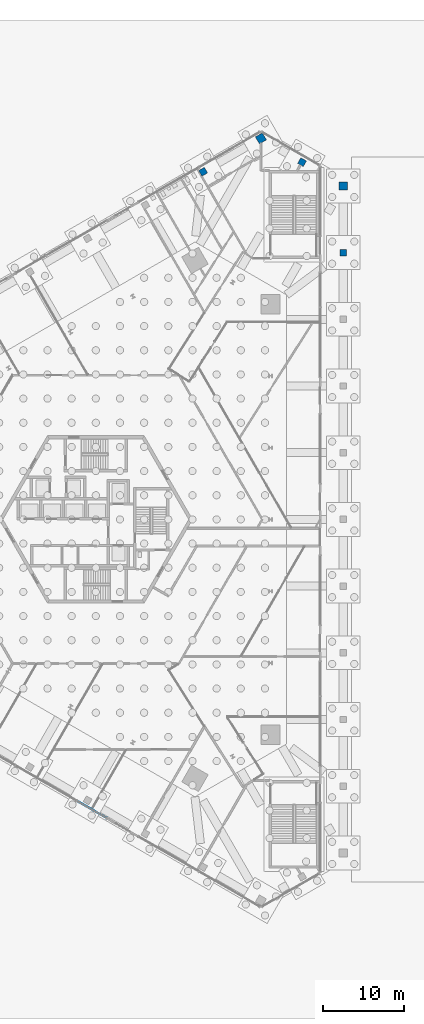
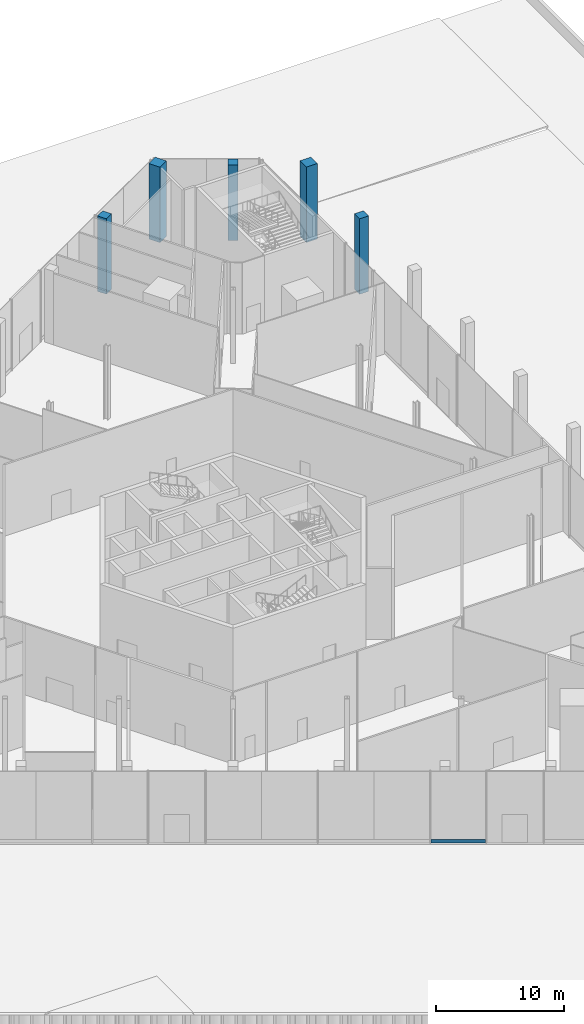
# One storey, part 7 of 27: 5 columns, 1 member, 1 element without a shape of its own.
"""IFC4 building model written with IfcOpenShell, lengths in metres."""

import ifcopenshell
import ifcopenshell.guid

model = None  # the IFC model being written
_history = None  # IfcOwnerHistory: only IFC2X3 demands one
_inside = {}  # id of a spatial element -> (the spatial element, [elements in it])
_under = {}  # id of a project, library or spatial element -> (it, [spatial elements below it])
_declared = {}  # id of a project -> (the project, [libraries it declares])
_typed = {}  # id of a type object -> (the type object, [elements of that type])
_made_of = {}  # id of a material, layer set ... -> (it, [elements and type objects made of it])


def new_model(schema):
    """Start an empty IFC model of exactly this schema.

    Asked for "IFC4X3", IfcOpenShell would pick the latest addendum, in which some entities
    have other attributes; the version numbers below select the first issue.
    IFC2X3 requires an IfcOwnerHistory on every rooted entity: one is made here for all.
    """
    global model, _history
    if schema == "IFC4X3":
        model = ifcopenshell.file(schema_version=(4, 3, 0, 0))
    else:
        model = ifcopenshell.file(schema=schema)
    _inside.clear()
    _under.clear()
    _declared.clear()
    _typed.clear()
    _made_of.clear()
    _history = None
    if model.schema == "IFC2X3":
        org = make("IfcOrganization", Name="unknown")
        user = make(
            "IfcPersonAndOrganization",
            ThePerson=make("IfcPerson", FamilyName="unknown"),
            TheOrganization=org,
        )
        app = make(
            "IfcApplication",
            ApplicationDeveloper=org,
            Version="unknown",
            ApplicationFullName="unknown",
            ApplicationIdentifier="unknown",
        )
        _history = make(
            "IfcOwnerHistory",
            OwningUser=user,
            OwningApplication=app,
            ChangeAction="ADDED",
            CreationDate=0,
        )
    return model


def make(cls, **values):
    """One entity of the class cls with the attributes given. An attribute that is None is left unset."""
    return model.create_entity(
        cls, **{name: value for name, value in values.items() if value is not None}
    )


def rooted(cls, **values):
    """An entity with a GlobalId (a new one), such as an element, a storey or a relation."""
    return make(cls, GlobalId=ifcopenshell.guid.new(), OwnerHistory=_history, **values)


def si_unit(unit_type, name, prefix=None):
    """IfcSIUnit, for example si_unit("LENGTHUNIT", "METRE", prefix="MILLI")."""
    return make("IfcSIUnit", UnitType=unit_type, Prefix=prefix, Name=name)


def assignment(units):
    """IfcUnitAssignment: the units of a project."""
    return None if units is None else make("IfcUnitAssignment", Units=units)


def point(xyz):
    """IfcCartesianPoint."""
    return None if xyz is None else make("IfcCartesianPoint", Coordinates=xyz)


def direction(xyz):
    """IfcDirection."""
    return None if xyz is None else make("IfcDirection", DirectionRatios=xyz)


def frame(location, z_axis=None, x_axis=None):
    """IfcAxis2Placement3D, a coordinate frame: its origin and axes. An axis left out is left unset."""
    return make(
        "IfcAxis2Placement3D",
        Location=point(location),
        Axis=direction(z_axis),
        RefDirection=direction(x_axis),
    )


def frame_2d(location, x_axis=None):
    """IfcAxis2Placement2D, a coordinate frame in the plane: its origin and x axis."""
    return make(
        "IfcAxis2Placement2D", Location=point(location), RefDirection=direction(x_axis)
    )


def origin():
    """The frame at (0, 0, 0) with its axes left unset."""
    return frame((0.0, 0.0, 0.0))


def origin_2d():
    """The frame at (0, 0) in the plane with its x axis left unset."""
    return frame_2d((0.0, 0.0))


def place(relative_to, where):
    """IfcLocalPlacement: puts the frame where relative to a parent placement (None: the world)."""
    return make(
        "IfcLocalPlacement", PlacementRelTo=relative_to, RelativePlacement=where
    )


def context(
    kind, dimensions, precision=None, world=None, true_north=None, identifier=None
):
    """IfcGeometricRepresentationContext, for example the 3D "Model" context."""
    return make(
        "IfcGeometricRepresentationContext",
        ContextIdentifier=identifier,
        ContextType=kind,
        CoordinateSpaceDimension=dimensions,
        Precision=precision,
        WorldCoordinateSystem=world,
        TrueNorth=true_north,
    )


def subcontext(parent, identifier, kind, view, scale=None):
    """IfcGeometricRepresentationSubContext, for example "Body" below "Model"."""
    return make(
        "IfcGeometricRepresentationSubContext",
        ContextIdentifier=identifier,
        ContextType=kind,
        ParentContext=parent,
        TargetScale=scale,
        TargetView=view,
    )


def project(units=None, contexts=None):
    """IfcProject with its units and contexts."""
    return rooted(
        "IfcProject",
        Name="project",
        RepresentationContexts=contexts,
        UnitsInContext=assignment(units),
    )


def spatial(cls, under=None, at=None, **own):
    """A site, building, storey or space (cls), placed at a placement, below another one or the project."""
    s = rooted(cls, ObjectPlacement=at, **own)
    if under is not None:
        _under.setdefault(under.id(), (under, []))[1].append(s)
    return s


def profile(cls, at=None, kind="AREA", **sizes):
    """A parametric profile (cls). Its sizes go by their IFC names, for example OverallWidth=200.0."""
    return make(cls, ProfileType=kind, Position=at, **sizes)


def rectangle(**sizes):
    """IfcRectangleProfileDef."""
    return profile("IfcRectangleProfileDef", **sizes)


def extrude(swept, where, along, depth):
    """IfcExtrudedAreaSolid: the profile swept, set in the frame where, extruded along a direction by depth."""
    return make(
        "IfcExtrudedAreaSolid",
        SweptArea=swept,
        Position=where,
        ExtrudedDirection=direction(along),
        Depth=depth,
    )


def shape(context_of_items, identifier, shape_type, items):
    """IfcShapeRepresentation: the items that make up one representation, for example the "Body"."""
    return make(
        "IfcShapeRepresentation",
        ContextOfItems=context_of_items,
        RepresentationIdentifier=identifier,
        RepresentationType=shape_type,
        Items=items,
    )


def source(mapping_origin, context_of_items, identifier, shape_type, items):
    """IfcRepresentationMap: a shape defined once, which mapped items show again and again."""
    return make(
        "IfcRepresentationMap",
        MappingOrigin=mapping_origin,
        MappedRepresentation=shape(context_of_items, identifier, shape_type, items),
    )


def transform(
    local_origin,
    x_axis=None,
    y_axis=None,
    z_axis=None,
    scale=None,
    scale2=None,
    scale3=None,
    uniform=True,
):
    """IfcCartesianTransformationOperator3D, or its non-uniform kind. x_axis, y_axis, z_axis: its Axis1, 2, 3."""
    if uniform:
        return make(
            "IfcCartesianTransformationOperator3D",
            Axis1=direction(x_axis),
            Axis2=direction(y_axis),
            LocalOrigin=point(local_origin),
            Scale=scale,
            Axis3=direction(z_axis),
        )
    return make(
        "IfcCartesianTransformationOperator3DnonUniform",
        Axis1=direction(x_axis),
        Axis2=direction(y_axis),
        LocalOrigin=point(local_origin),
        Scale=scale,
        Axis3=direction(z_axis),
        Scale2=scale2,
        Scale3=scale3,
    )


def mapped(mapping_source, mapping_target):
    """IfcMappedItem: shows the shape of a source again, moved by a transform."""
    return make(
        "IfcMappedItem", MappingSource=mapping_source, MappingTarget=mapping_target
    )


def material(Name=None, Category=None):
    """IfcMaterial."""
    return make("IfcMaterial", Name=Name, Category=Category)


def material_profile(
    of_material, cross_section, Name=None, Category=None, Priority=None
):
    """IfcMaterialProfile: a cross section and its material."""
    return make(
        "IfcMaterialProfile",
        Name=Name,
        Material=of_material,
        Profile=cross_section,
        Priority=Priority,
        Category=Category,
    )


def profile_set(profiles, Name=None, composite=None):
    """IfcMaterialProfileSet."""
    return make(
        "IfcMaterialProfileSet",
        Name=Name,
        MaterialProfiles=profiles,
        CompositeProfile=composite,
    )


def made_of(thing, what):
    """Note that an element or type object is made of a material, layer set ...; save() writes the relation."""
    if what is not None:
        _made_of.setdefault(what.id(), (what, []))[1].append(thing)
    return thing


def type_object(cls, material=None, **own):
    """A type object (cls), such as IfcWallType, which elements share."""
    return made_of(rooted(cls, **own), material)


def element(
    cls,
    number,
    at=None,
    inside=None,
    cuts=None,
    type_object=None,
    material=None,
    context=None,
    identifier="Body",
    shape_type=None,
    held_by="IfcProductDefinitionShape",
    body=None,
    shapes=None,
    **own,
):
    """One element of the class cls, such as IfcWall. Its Tag is "e" and its number.

    at: its placement. inside: the storey or other place that contains it. cuts: it is an
    opening in that element (IfcRelVoidsElement). A single representation is given by context,
    identifier, shape_type and body (its items); several are given by shapes. held_by: the class
    of the entity that holds the representations. save() writes the other relations.
    """
    e = rooted(cls, Tag="e%d" % number, ObjectPlacement=at, **own)
    if body is not None:
        shapes = [shape(context, identifier, shape_type, body)]
    if shapes is not None:
        e.Representation = make(held_by, Representations=shapes)
    if inside is not None:
        _inside.setdefault(inside.id(), (inside, []))[1].append(e)
    if cuts is not None:
        rooted(
            "IfcRelVoidsElement", RelatingBuildingElement=cuts, RelatedOpeningElement=e
        )
    if type_object is not None:
        _typed.setdefault(type_object.id(), (type_object, []))[1].append(e)
    return made_of(e, material)


def aggregate(whole, parts):
    """IfcRelAggregates: a whole, such as a stair, and the parts it consists of."""
    return rooted("IfcRelAggregates", RelatingObject=whole, RelatedObjects=parts)


def save(model, path):
    """Write the relations noted so far, then the file.

    IfcRelAggregates (storeys below a building ...), IfcRelContainedInSpatialStructure (elements
    in a storey), IfcRelDefinesByType, IfcRelAssociatesMaterial and IfcRelDeclares: one each for
    every whole, place, type object, material and project.
    """
    for whole, parts in _under.values():
        aggregate(whole, parts)
    for where, things in _inside.values():
        rooted(
            "IfcRelContainedInSpatialStructure",
            RelatedElements=things,
            RelatingStructure=where,
        )
    for kind, things in _typed.values():
        rooted("IfcRelDefinesByType", RelatedObjects=things, RelatingType=kind)
    for what, things in _made_of.values():
        rooted("IfcRelAssociatesMaterial", RelatedObjects=things, RelatingMaterial=what)
    for by, libraries in _declared.values():
        rooted("IfcRelDeclares", RelatingContext=by, RelatedDefinitions=libraries)
    model.write(path)


model = new_model("IFC4")

# Units and contexts
model_context = context("Model", 3, precision=1e-05, world=origin(), true_north=direction((0.0, 1.0)))
body_context = subcontext(model_context, "Body", "Model", "MODEL_VIEW")
ifc_project = project(units=[si_unit("LENGTHUNIT", "METRE"), si_unit("AREAUNIT", "SQUARE_METRE"), si_unit("VOLUMEUNIT", "CUBIC_METRE"), si_unit("PLANEANGLEUNIT", "RADIAN"), si_unit("MASSUNIT", "GRAM", prefix="KILO")], contexts=[model_context])

# Site, building, storey
site_placement = place(None, origin())
site = spatial("IfcSite", under=ifc_project, at=site_placement, CompositionType="ELEMENT")
building_placement = place(site_placement, origin())
building = spatial("IfcBuilding", under=site, at=building_placement, Name="Triune Harvest Tower", CompositionType="ELEMENT")
storey_placement = place(building_placement, origin())
storey = spatial("IfcBuildingStorey", under=building, at=storey_placement, Name="L00", CompositionType="ELEMENT", Elevation=0.0)

# Columns
ifc_material_1 = material(Name="Concrete 50 MPa", Category="concrete")
ifc_material_profile_1 = material_profile(ifc_material_1, rectangle(XDim=1.0, YDim=1.0, at=origin_2d()), Name="Concrete 1000x1000")
ifc_profile_set_1 = profile_set([ifc_material_profile_1], Name="Concrete 50 MPa")
column_type_1 = type_object("IfcColumnType", Name="PD-1 Podium column Concrete 1000x1000", PredefinedType="COLUMN", material=ifc_profile_set_1)
shared_shape_1 = source(origin(), body_context, "Body", "SweptSolid", [
    extrude(rectangle(XDim=1.0, YDim=1.0, at=origin_2d()), origin(), (0.0, 0.0, 1.0), 7.199951171875),
])
for number, where, z_axis, x_axis, name in (
    (1, (30.715087890625, 41.39990234375, -0.199951171875), (0.0, 0.0, 1.0), (0.0, 1.0, 0.0), "col/L00/D10"),
    (2, (20.495849609375, 47.300048828125, -0.199951171875), (0.0, 0.0, 1.0), (-0.866025403784, -0.5, 0.0), "col/L00/D12"),
):
    element("IfcColumn", number, at=place(storey_placement, frame(where, z_axis=z_axis, x_axis=x_axis)), inside=storey, type_object=column_type_1, Name=name, PredefinedType="COLUMN", context=body_context, shape_type="MappedRepresentation", body=[
        mapped(shared_shape_1, transform((0.0, 0.0, 0.0), scale=1.0)),
    ])
ifc_material_2 = material(Name="Concrete 50 MPa", Category="concrete")
ifc_material_profile_2 = material_profile(ifc_material_2, rectangle(XDim=0.800048828125, YDim=0.800048828125, at=origin_2d()), Name="Concrete 800x800")
ifc_profile_set_2 = profile_set([ifc_material_profile_2], Name="Concrete 50 MPa")
column_type_2 = type_object("IfcColumnType", Name="PD-2 Podium column Concrete 800x800", PredefinedType="COLUMN", material=ifc_profile_set_2)
shared_shape_2 = source(origin(), body_context, "Body", "SweptSolid", [
    extrude(rectangle(XDim=0.800048828125, YDim=0.800048828125, at=origin_2d()), origin(), (0.0, 0.0, 1.0), 7.199951171875),
])
for number, where, z_axis, x_axis, name in (
    (3, (30.715087890625, 33.1201171875, -0.199951171875), (0.0, 0.0, 1.0), (0.0, 1.0, 0.0), "col/L00/D9"),
    (4, (25.60546875, 44.35009765625, -0.199951171875), (0.0, 0.0, 1.0), (-0.866027149108, 0.499996976998, 0.0), "col/L00/D11"),
    (5, (13.3251953125, 43.159912109375, -0.199951171875), (0.0, 0.0, 1.0), (-0.866025403784, -0.5, 0.0), "col/L00/D13"),
):
    element("IfcColumn", number, at=place(storey_placement, frame(where, z_axis=z_axis, x_axis=x_axis)), inside=storey, type_object=column_type_2, Name=name, PredefinedType="COLUMN", context=body_context, shape_type="MappedRepresentation", body=[
        mapped(shared_shape_2, transform((0.0, 0.0, 0.0), scale=1.0)),
    ])

# Curtain wall, member
ifc_material_3 = material(Name="Aluminium bronze anodised", Category="aluminium")
curtain_wall_type = type_object("IfcCurtainWallType", Name="CW-2 Podium shopfront wall", PredefinedType="NOTDEFINED", material=ifc_material_3)
curtain_wall_placement = place(storey_placement, origin())
curtain_wall = element("IfcCurtainWall", 6, at=curtain_wall_placement, inside=storey, type_object=curtain_wall_type, Name="CW-2 PD-F5 L00 run 3")
ifc_material_4 = material(Name="Aluminium bronze anodised", Category="aluminium")
ifc_material_profile_3 = material_profile(ifc_material_4, rectangle(XDim=0.10009765625, YDim=0.300048828125, at=origin_2d()), Name="TR-2 transom 100 x 300")
ifc_profile_set_3 = profile_set([ifc_material_profile_3], Name="Aluminium bronze anodised")
member_type = type_object("IfcMemberType", Name="TR-2 transom 100 x 300", PredefinedType="USERDEFINED", material=ifc_profile_set_3)
shared_shape_3 = source(origin(), body_context, "Body", "SweptSolid", [
    extrude(rectangle(XDim=0.10009765625, YDim=0.300048828125, at=origin_2d()), origin(), (0.0, 0.0, 1.0), 4.267822265625),
])
member_placement = place(storey_placement, frame((-2.3427734375, -34.967529296875, 0.14990234375), z_axis=(0.866013160285, -0.500021205763, 0.0), x_axis=(0.500021205763, 0.866013160285, 0.0)))
member = element("IfcMember", 7, at=member_placement, type_object=member_type, Name="CW-2 transom PD-F5 3.3", ObjectType="TRANSOM", PredefinedType="USERDEFINED", context=body_context, shape_type="MappedRepresentation", body=[
    mapped(shared_shape_3, transform((0.0, 0.0, 0.0), scale=1.0)),
])
aggregate(curtain_wall, [member])

save(model, "model.ifc")
